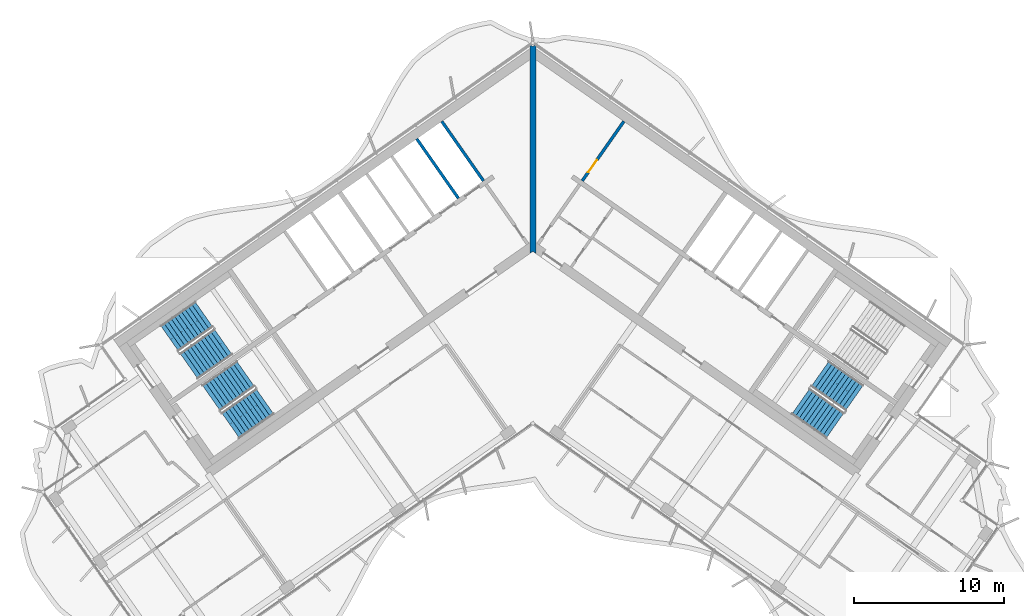
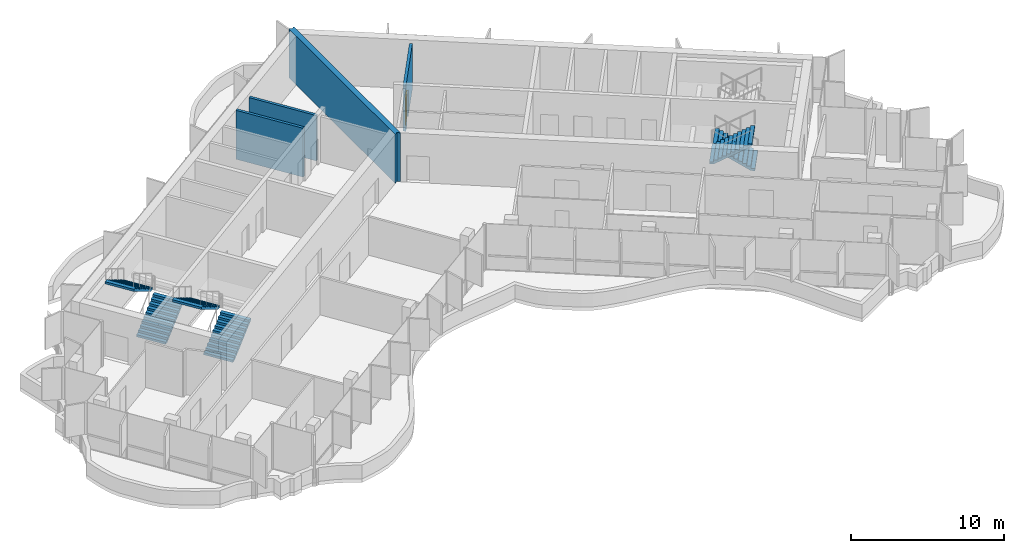
# One storey, part 12 of 18: 6 stair flights, 4 walls, 1 door, 1 opening, 3 elements without a shape of their own.
"""IFC4 building model written with IfcOpenShell, lengths in metres."""

from ifc_helpers import new_model, si_unit, direction, frame, frame_2d, origin, place, context, subcontext, project, spatial, polyline, rectangle, outline, extrude, material, layer, layer_set, type_object, element, fill, aggregate, save


model = new_model("IFC4")

# Units and contexts
model_context = context("Model", 3, precision=1e-05, world=origin(), true_north=direction((0.0, 1.0)))
body_context = subcontext(model_context, "Body", "Model", "MODEL_VIEW")
ifc_project = project(units=[si_unit("LENGTHUNIT", "METRE"), si_unit("AREAUNIT", "SQUARE_METRE"), si_unit("VOLUMEUNIT", "CUBIC_METRE"), si_unit("PLANEANGLEUNIT", "RADIAN"), si_unit("MASSUNIT", "GRAM", prefix="KILO")], contexts=[model_context])

# Site, building, storey
site_placement = place(None, origin())
site = spatial("IfcSite", under=ifc_project, at=site_placement, CompositionType="ELEMENT")
building_placement = place(site_placement, origin())
building = spatial("IfcBuilding", under=site, at=building_placement, Name="Tel Ilan Convention Tower", CompositionType="ELEMENT")
storey_placement = place(building_placement, frame((0.0, 0.0, 252.699951171875)))
storey = spatial("IfcBuildingStorey", under=building, at=storey_placement, Name="L59", CompositionType="ELEMENT", Elevation=252.699951171875)

# Wall
ifc_material_1 = material(Name="Concrete C30/37", Category="concrete")
ifc_layer_1 = layer(ifc_material_1, 0.199951171875)
ifc_layer_set_1 = layer_set([ifc_layer_1], Name="Core Service Room Wall 200 mm C30/37")
wall_type_1 = type_object("IfcWallType", Name="Core Service Room Wall 200 mm C30/37", PredefinedType="SOLIDWALL", material=ifc_layer_set_1)
wall_1_placement = place(storey_placement, frame((-3.2978515625, 3.489501953125, 0.0), z_axis=(0.0, 0.0, 1.0), x_axis=(-0.573560315113, 0.819163332265, 0.0)))
element("IfcWall", 1, at=wall_1_placement, inside=storey, type_object=wall_type_1, Name="L59 core wall apex-W-b", PredefinedType="SOLIDWALL", context=body_context, shape_type="SweptSolid", body=[
    extrude(rectangle(XDim=4.849853515625, YDim=0.199951171875, at=frame_2d((2.4248046875, 0.0))), origin(), (0.0, 0.0, 1.0), 3.6201171875),
])

# Wall, opening, door
wall_2_placement = place(storey_placement, frame((3.2978515625, 3.489501953125, 0.0), z_axis=(0.0, 0.0, 1.0), x_axis=(0.573560315113, 0.819163332265, 0.0)))
wall_2 = element("IfcWall", 2, at=wall_2_placement, inside=storey, type_object=wall_type_1, Name="L59 core wall apex-E-b", PredefinedType="SOLIDWALL", context=body_context, shape_type="SweptSolid", body=[
    extrude(rectangle(XDim=4.849853515625, YDim=0.199951171875, at=frame_2d((2.4248046875, 0.0))), origin(), (0.0, 0.0, 1.0), 3.6201171875),
])
opening_placement = place(wall_2_placement, frame((0.699951171875, 0.0, 0.0)))
opening = element("IfcOpeningElement", 3, at=opening_placement, cuts=wall_2, Name="Opening CD4603", PredefinedType="OPENING", context=body_context, shape_type="SweptSolid", body=[
    extrude(rectangle(XDim=1.0, YDim=2.10009765625, at=frame_2d((0.5, 1.050048828125))), frame((0.0, 0.10986328125, 0.0), z_axis=(0.0, -1.0, 0.0), x_axis=(1.0, 0.0, 0.0)), (0.0, 0.0, 1.0), 0.219970703125),
])
ifc_material_2 = material(Name="Galvanised Steel Door Leaf", Category="steel")
door_type = type_object("IfcDoorType", Name="Service Room Door 1000 x 2100 FD60", OperationType="NOTDEFINED", PredefinedType="DOOR", material=ifc_material_2)
door_placement = place(opening_placement, origin())
door = element("IfcDoor", 4, at=door_placement, inside=storey, type_object=door_type, Name="Plant Room door", OperationType="SINGLE_SWING_RIGHT", OverallHeight=2.10009765625, OverallWidth=1.0, PredefinedType="DOOR", context=body_context, shape_type="SweptSolid", body=[
    extrude(rectangle(XDim=1.0, YDim=2.10009765625, at=frame_2d((0.5, 1.050048828125))), frame((0.0, 0.02490234375, 0.0), z_axis=(0.0, -1.0, 0.0), x_axis=(1.0, 0.0, 0.0)), (0.0, 0.0, 1.0), 0.050048828125),
])
fill(opening, door)

# Walls
ifc_material_3 = material(Name="Concrete C40/50", Category="concrete")
ifc_layer_2 = layer(ifc_material_3, 0.39990234375)
ifc_layer_set_2 = layer_set([ifc_layer_2], Name="Core Shear Wall 400 mm C40/50")
wall_type_2 = type_object("IfcWallType", Name="Core Shear Wall 400 mm C40/50", PredefinedType="SHEAR", material=ifc_layer_set_2)
wall_3_placement = place(storey_placement, frame((0.0, -1.36083984375, 0.0), z_axis=(0.0, 0.0, 1.0), x_axis=(0.0, 1.0, 0.0)))
element("IfcWall", 5, at=wall_3_placement, inside=storey, type_object=wall_type_2, Name="L59 core wall K-central", PredefinedType="SHEAR", context=body_context, shape_type="SweptSolid", body=[
    extrude(outline(polyline([(0.14013671875, 0.199951171875), (0.0, 0.199951171875), (0.14013671875, 0.0), (0.0, -0.199951171875), (0.14013671875, -0.199951171875), (1.012451171875, -0.199951171875), (12.940185546875, -0.199951171875), (13.812744140625, -0.199951171875), (13.893310546875, -0.199951171875), (13.933349609375, -0.172119140625), (13.812744140625, 0.0), (13.933349609375, 0.172119140625), (13.893310546875, 0.199951171875), (13.812744140625, 0.199951171875), (12.940185546875, 0.199951171875), (1.012451171875, 0.199951171875), (0.14013671875, 0.199951171875)])), origin(), (0.0, 0.0, 1.0), 3.900146484375),
])
ifc_material_4 = material(Name="Concrete C30/37", Category="concrete")
ifc_layer_3 = layer(ifc_material_4, 0.199951171875)
ifc_layer_set_3 = layer_set([ifc_layer_3], Name="Lift Shaft Wall 200 mm C30/37")
wall_type_3 = type_object("IfcWallType", Name="Lift Shaft Wall 200 mm C30/37", PredefinedType="SOLIDWALL", material=ifc_layer_set_3)
wall_4_placement = place(storey_placement, frame((-4.966796875, 2.32080078125, 0.0), z_axis=(0.0, 0.0, 1.0), x_axis=(-0.573594092424, 0.81913968109, 0.0)))
element("IfcWall", 6, at=wall_4_placement, inside=storey, type_object=wall_type_3, Name="L59 core wall bank-W1-p0", PredefinedType="SOLIDWALL", context=body_context, shape_type="SweptSolid", body=[
    extrude(rectangle(XDim=4.85009765625, YDim=0.199951171875, at=frame_2d((2.425048828125, 0.0))), origin(), (0.0, 0.0, 1.0), 3.900146484375),
])

# Stair, stair flights
ifc_material_5 = material(Name="Concrete C40/50", Category="concrete")
stair_type = type_object("IfcStairType", Name="Pressurised Exit Stair 22 risers 177 mm", PredefinedType="HALF_TURN_STAIR", material=ifc_material_5)
stair_1_placement = place(storey_placement, origin())
stair_1 = element("IfcStair", 7, at=stair_1_placement, inside=storey, type_object=stair_type, Name="L59 Pressurised Stair S1", PredefinedType="HALF_TURN_STAIR")
ifc_material_6 = material(Name="Precast Concrete C40/50", Category="concrete")
stair_flight_type = type_object("IfcStairFlightType", Name="Concrete Stair Flight 2100 mm 22 risers 177 mm", PredefinedType="STRAIGHT", material=ifc_material_6)
stair_flight_1_placement = place(storey_placement, frame((-22.9619140625, -8.87548828125, 0.0), z_axis=(0.0, 0.0, 1.0), x_axis=(0.819152044289, 0.573576436351, 0.0)))
stair_flight_1 = element("IfcStairFlight", 8, at=stair_flight_1_placement, type_object=stair_flight_type, Name="S1 flight 1", NumberOfRisers=11, NumberOfTreads=10, PredefinedType="STRAIGHT", RiserHeight=0.177272727, TreadLength=0.28, context=body_context, shape_type="SweptSolid", body=[
    extrude(outline(polyline([(0.0, 0.0), (0.0, 0.17724609375), (0.280029296875, 0.17724609375), (0.280029296875, 0.3544921875), (0.56005859375, 0.3544921875), (0.56005859375, 0.53173828125), (0.840087890625, 0.53173828125), (0.840087890625, 0.708984375), (1.1201171875, 0.708984375), (1.1201171875, 0.886474609375), (1.39990234375, 0.886474609375), (1.39990234375, 1.063720703125), (1.679931640625, 1.063720703125), (1.679931640625, 1.240966796875), (1.9599609375, 1.240966796875), (1.9599609375, 1.418212890625), (2.239990234375, 1.418212890625), (2.239990234375, 1.595458984375), (2.52001953125, 1.595458984375), (2.52001953125, 1.772705078125), (2.800048828125, 1.772705078125), (2.800048828125, 1.949951171875), (2.800048828125, 1.59521484375), (0.2802734375, 0.0), (0.0, 0.0)])), frame((0.0, -0.100341796875, 0.0), z_axis=(0.0, -1.0, 0.0), x_axis=(1.0, 0.0, 0.0)), (0.0, 0.0, 1.0), 0.94970703125),
    extrude(outline(polyline([(0.0, 0.0), (0.0, 0.17724609375), (0.280029296875, 0.17724609375), (0.280029296875, 0.3544921875), (0.56005859375, 0.3544921875), (0.56005859375, 0.53173828125), (0.840087890625, 0.53173828125), (0.840087890625, 0.708984375), (1.1201171875, 0.708984375), (1.1201171875, 0.886474609375), (1.39990234375, 0.886474609375), (1.39990234375, 1.063720703125), (1.679931640625, 1.063720703125), (1.679931640625, 1.240966796875), (1.9599609375, 1.240966796875), (1.9599609375, 1.418212890625), (2.239990234375, 1.418212890625), (2.239990234375, 1.595458984375), (2.52001953125, 1.595458984375), (2.52001953125, 1.772705078125), (2.800048828125, 1.772705078125), (2.800048828125, 1.949951171875), (2.800048828125, 1.59521484375), (0.2802734375, 0.0), (0.0, 0.0)])), frame((0.0, -0.000244140625, 0.0), z_axis=(0.0, -1.0, 0.0), x_axis=(1.0, 0.0, 0.0)), (0.0, 0.0, 1.0), 0.099609375),
    extrude(outline(polyline([(0.0, 0.0), (0.0, 0.17724609375), (0.280029296875, 0.17724609375), (0.280029296875, 0.3544921875), (0.56005859375, 0.3544921875), (0.56005859375, 0.53173828125), (0.840087890625, 0.53173828125), (0.840087890625, 0.708984375), (1.1201171875, 0.708984375), (1.1201171875, 0.886474609375), (1.39990234375, 0.886474609375), (1.39990234375, 1.063720703125), (1.679931640625, 1.063720703125), (1.679931640625, 1.240966796875), (1.9599609375, 1.240966796875), (1.9599609375, 1.418212890625), (2.239990234375, 1.418212890625), (2.239990234375, 1.595458984375), (2.52001953125, 1.595458984375), (2.52001953125, 1.772705078125), (2.800048828125, 1.772705078125), (2.800048828125, 1.949951171875), (2.800048828125, 1.59521484375), (0.2802734375, 0.0), (0.0, 0.0)])), frame((0.0, 0.099853515625, 0.0), z_axis=(0.0, -1.0, 0.0), x_axis=(1.0, 0.0, 0.0)), (0.0, 0.0, 1.0), 0.099609375),
    extrude(outline(polyline([(0.0, 0.0), (0.0, 0.17724609375), (0.280029296875, 0.17724609375), (0.280029296875, 0.3544921875), (0.56005859375, 0.3544921875), (0.56005859375, 0.53173828125), (0.840087890625, 0.53173828125), (0.840087890625, 0.708984375), (1.1201171875, 0.708984375), (1.1201171875, 0.886474609375), (1.39990234375, 0.886474609375), (1.39990234375, 1.063720703125), (1.679931640625, 1.063720703125), (1.679931640625, 1.240966796875), (1.9599609375, 1.240966796875), (1.9599609375, 1.418212890625), (2.239990234375, 1.418212890625), (2.239990234375, 1.595458984375), (2.52001953125, 1.595458984375), (2.52001953125, 1.772705078125), (2.800048828125, 1.772705078125), (2.800048828125, 1.949951171875), (2.800048828125, 1.59521484375), (0.2802734375, 0.0), (0.0, 0.0)])), frame((0.0, 1.050048828125, 0.0), z_axis=(0.0, -1.0, 0.0), x_axis=(1.0, 0.0, 0.0)), (0.0, 0.0, 1.0), 0.94970703125),
])
stair_flight_2_placement = place(storey_placement, frame((-21.958740234375, -5.42626953125, 1.949951171875), z_axis=(0.0, 0.0, 1.0), x_axis=(-0.819152044289, -0.573576436351, 0.0)))
stair_flight_2 = element("IfcStairFlight", 9, at=stair_flight_2_placement, type_object=stair_flight_type, Name="S1 flight 2", NumberOfRisers=11, NumberOfTreads=10, PredefinedType="STRAIGHT", RiserHeight=0.177272727, TreadLength=0.28, context=body_context, shape_type="SweptSolid", body=[
    extrude(outline(polyline([(0.0, 0.0), (0.0, 0.17724609375), (0.280029296875, 0.17724609375), (0.280029296875, 0.3544921875), (0.56005859375, 0.3544921875), (0.56005859375, 0.53173828125), (0.840087890625, 0.53173828125), (0.840087890625, 0.708984375), (1.1201171875, 0.708984375), (1.1201171875, 0.886474609375), (1.39990234375, 0.886474609375), (1.39990234375, 1.063720703125), (1.679931640625, 1.063720703125), (1.679931640625, 1.240966796875), (1.9599609375, 1.240966796875), (1.9599609375, 1.418212890625), (2.239990234375, 1.418212890625), (2.239990234375, 1.595458984375), (2.52001953125, 1.595458984375), (2.52001953125, 1.772705078125), (2.800048828125, 1.772705078125), (2.800048828125, 1.949951171875), (2.800048828125, 1.59521484375), (0.2802734375, 0.0), (0.0, 0.0)])), frame((0.0, -0.100341796875, 0.0), z_axis=(0.0, -1.0, 0.0), x_axis=(1.0, 0.0, 0.0)), (0.0, 0.0, 1.0), 0.94970703125),
    extrude(outline(polyline([(0.0, 0.0), (0.0, 0.17724609375), (0.280029296875, 0.17724609375), (0.280029296875, 0.3544921875), (0.56005859375, 0.3544921875), (0.56005859375, 0.53173828125), (0.840087890625, 0.53173828125), (0.840087890625, 0.708984375), (1.1201171875, 0.708984375), (1.1201171875, 0.886474609375), (1.39990234375, 0.886474609375), (1.39990234375, 1.063720703125), (1.679931640625, 1.063720703125), (1.679931640625, 1.240966796875), (1.9599609375, 1.240966796875), (1.9599609375, 1.418212890625), (2.239990234375, 1.418212890625), (2.239990234375, 1.595458984375), (2.52001953125, 1.595458984375), (2.52001953125, 1.772705078125), (2.800048828125, 1.772705078125), (2.800048828125, 1.949951171875), (2.800048828125, 1.59521484375), (0.2802734375, 0.0), (0.0, 0.0)])), frame((0.0, -0.000244140625, 0.0), z_axis=(0.0, -1.0, 0.0), x_axis=(1.0, 0.0, 0.0)), (0.0, 0.0, 1.0), 0.099609375),
    extrude(outline(polyline([(0.0, 0.0), (0.0, 0.17724609375), (0.280029296875, 0.17724609375), (0.280029296875, 0.3544921875), (0.56005859375, 0.3544921875), (0.56005859375, 0.53173828125), (0.840087890625, 0.53173828125), (0.840087890625, 0.708984375), (1.1201171875, 0.708984375), (1.1201171875, 0.886474609375), (1.39990234375, 0.886474609375), (1.39990234375, 1.063720703125), (1.679931640625, 1.063720703125), (1.679931640625, 1.240966796875), (1.9599609375, 1.240966796875), (1.9599609375, 1.418212890625), (2.239990234375, 1.418212890625), (2.239990234375, 1.595458984375), (2.52001953125, 1.595458984375), (2.52001953125, 1.772705078125), (2.800048828125, 1.772705078125), (2.800048828125, 1.949951171875), (2.800048828125, 1.59521484375), (0.2802734375, 0.0), (0.0, 0.0)])), frame((0.0, 0.099853515625, 0.0), z_axis=(0.0, -1.0, 0.0), x_axis=(1.0, 0.0, 0.0)), (0.0, 0.0, 1.0), 0.099609375),
    extrude(outline(polyline([(0.0, 0.0), (0.0, 0.17724609375), (0.280029296875, 0.17724609375), (0.280029296875, 0.3544921875), (0.56005859375, 0.3544921875), (0.56005859375, 0.53173828125), (0.840087890625, 0.53173828125), (0.840087890625, 0.708984375), (1.1201171875, 0.708984375), (1.1201171875, 0.886474609375), (1.39990234375, 0.886474609375), (1.39990234375, 1.063720703125), (1.679931640625, 1.063720703125), (1.679931640625, 1.240966796875), (1.9599609375, 1.240966796875), (1.9599609375, 1.418212890625), (2.239990234375, 1.418212890625), (2.239990234375, 1.595458984375), (2.52001953125, 1.595458984375), (2.52001953125, 1.772705078125), (2.800048828125, 1.772705078125), (2.800048828125, 1.949951171875), (2.800048828125, 1.59521484375), (0.2802734375, 0.0), (0.0, 0.0)])), frame((0.0, 1.050048828125, 0.0), z_axis=(0.0, -1.0, 0.0), x_axis=(1.0, 0.0, 0.0)), (0.0, 0.0, 1.0), 0.94970703125),
])
aggregate(stair_1, [stair_flight_1, stair_flight_2])

stair_2_placement = place(storey_placement, origin())
stair_2 = element("IfcStair", 10, at=stair_2_placement, inside=storey, type_object=stair_type, Name="L59 Pressurised Stair S2", PredefinedType="HALF_TURN_STAIR")
stair_flight_3_placement = place(storey_placement, frame((-20.179931640625, -12.848388671875, 0.0), z_axis=(0.0, 0.0, 1.0), x_axis=(0.819152044289, 0.573576436351, 0.0)))
stair_flight_3 = element("IfcStairFlight", 11, at=stair_flight_3_placement, type_object=stair_flight_type, Name="S2 flight 1", NumberOfRisers=11, NumberOfTreads=10, PredefinedType="STRAIGHT", RiserHeight=0.177272727, TreadLength=0.28, context=body_context, shape_type="SweptSolid", body=[
    extrude(outline(polyline([(0.0, 0.0), (0.0, 0.17724609375), (0.280029296875, 0.17724609375), (0.280029296875, 0.3544921875), (0.56005859375, 0.3544921875), (0.56005859375, 0.53173828125), (0.840087890625, 0.53173828125), (0.840087890625, 0.708984375), (1.1201171875, 0.708984375), (1.1201171875, 0.886474609375), (1.39990234375, 0.886474609375), (1.39990234375, 1.063720703125), (1.679931640625, 1.063720703125), (1.679931640625, 1.240966796875), (1.9599609375, 1.240966796875), (1.9599609375, 1.418212890625), (2.239990234375, 1.418212890625), (2.239990234375, 1.595458984375), (2.52001953125, 1.595458984375), (2.52001953125, 1.772705078125), (2.800048828125, 1.772705078125), (2.800048828125, 1.949951171875), (2.800048828125, 1.59521484375), (0.2802734375, 0.0), (0.0, 0.0)])), frame((0.0, -0.100341796875, 0.0), z_axis=(0.0, -1.0, 0.0), x_axis=(1.0, 0.0, 0.0)), (0.0, 0.0, 1.0), 0.94970703125),
    extrude(outline(polyline([(0.0, 0.0), (0.0, 0.17724609375), (0.280029296875, 0.17724609375), (0.280029296875, 0.3544921875), (0.56005859375, 0.3544921875), (0.56005859375, 0.53173828125), (0.840087890625, 0.53173828125), (0.840087890625, 0.708984375), (1.1201171875, 0.708984375), (1.1201171875, 0.886474609375), (1.39990234375, 0.886474609375), (1.39990234375, 1.063720703125), (1.679931640625, 1.063720703125), (1.679931640625, 1.240966796875), (1.9599609375, 1.240966796875), (1.9599609375, 1.418212890625), (2.239990234375, 1.418212890625), (2.239990234375, 1.595458984375), (2.52001953125, 1.595458984375), (2.52001953125, 1.772705078125), (2.800048828125, 1.772705078125), (2.800048828125, 1.949951171875), (2.800048828125, 1.59521484375), (0.2802734375, 0.0), (0.0, 0.0)])), frame((0.0, -0.000244140625, 0.0), z_axis=(0.0, -1.0, 0.0), x_axis=(1.0, 0.0, 0.0)), (0.0, 0.0, 1.0), 0.099609375),
    extrude(outline(polyline([(0.0, 0.0), (0.0, 0.17724609375), (0.280029296875, 0.17724609375), (0.280029296875, 0.3544921875), (0.56005859375, 0.3544921875), (0.56005859375, 0.53173828125), (0.840087890625, 0.53173828125), (0.840087890625, 0.708984375), (1.1201171875, 0.708984375), (1.1201171875, 0.886474609375), (1.39990234375, 0.886474609375), (1.39990234375, 1.063720703125), (1.679931640625, 1.063720703125), (1.679931640625, 1.240966796875), (1.9599609375, 1.240966796875), (1.9599609375, 1.418212890625), (2.239990234375, 1.418212890625), (2.239990234375, 1.595458984375), (2.52001953125, 1.595458984375), (2.52001953125, 1.772705078125), (2.800048828125, 1.772705078125), (2.800048828125, 1.949951171875), (2.800048828125, 1.59521484375), (0.2802734375, 0.0), (0.0, 0.0)])), frame((0.0, 0.099853515625, 0.0), z_axis=(0.0, -1.0, 0.0), x_axis=(1.0, 0.0, 0.0)), (0.0, 0.0, 1.0), 0.099609375),
    extrude(outline(polyline([(0.0, 0.0), (0.0, 0.17724609375), (0.280029296875, 0.17724609375), (0.280029296875, 0.3544921875), (0.56005859375, 0.3544921875), (0.56005859375, 0.53173828125), (0.840087890625, 0.53173828125), (0.840087890625, 0.708984375), (1.1201171875, 0.708984375), (1.1201171875, 0.886474609375), (1.39990234375, 0.886474609375), (1.39990234375, 1.063720703125), (1.679931640625, 1.063720703125), (1.679931640625, 1.240966796875), (1.9599609375, 1.240966796875), (1.9599609375, 1.418212890625), (2.239990234375, 1.418212890625), (2.239990234375, 1.595458984375), (2.52001953125, 1.595458984375), (2.52001953125, 1.772705078125), (2.800048828125, 1.772705078125), (2.800048828125, 1.949951171875), (2.800048828125, 1.59521484375), (0.2802734375, 0.0), (0.0, 0.0)])), frame((0.0, 1.050048828125, 0.0), z_axis=(0.0, -1.0, 0.0), x_axis=(1.0, 0.0, 0.0)), (0.0, 0.0, 1.0), 0.94970703125),
])
stair_flight_4_placement = place(storey_placement, frame((-19.177001953125, -9.399169921875, 1.949951171875), z_axis=(0.0, 0.0, 1.0), x_axis=(-0.819152044289, -0.573576436351, 0.0)))
stair_flight_4 = element("IfcStairFlight", 12, at=stair_flight_4_placement, type_object=stair_flight_type, Name="S2 flight 2", NumberOfRisers=11, NumberOfTreads=10, PredefinedType="STRAIGHT", RiserHeight=0.177272727, TreadLength=0.28, context=body_context, shape_type="SweptSolid", body=[
    extrude(outline(polyline([(0.0, 0.0), (0.0, 0.17724609375), (0.280029296875, 0.17724609375), (0.280029296875, 0.3544921875), (0.56005859375, 0.3544921875), (0.56005859375, 0.53173828125), (0.840087890625, 0.53173828125), (0.840087890625, 0.708984375), (1.1201171875, 0.708984375), (1.1201171875, 0.886474609375), (1.39990234375, 0.886474609375), (1.39990234375, 1.063720703125), (1.679931640625, 1.063720703125), (1.679931640625, 1.240966796875), (1.9599609375, 1.240966796875), (1.9599609375, 1.418212890625), (2.239990234375, 1.418212890625), (2.239990234375, 1.595458984375), (2.52001953125, 1.595458984375), (2.52001953125, 1.772705078125), (2.800048828125, 1.772705078125), (2.800048828125, 1.949951171875), (2.800048828125, 1.59521484375), (0.2802734375, 0.0), (0.0, 0.0)])), frame((0.0, -0.100341796875, 0.0), z_axis=(0.0, -1.0, 0.0), x_axis=(1.0, 0.0, 0.0)), (0.0, 0.0, 1.0), 0.94970703125),
    extrude(outline(polyline([(0.0, 0.0), (0.0, 0.17724609375), (0.280029296875, 0.17724609375), (0.280029296875, 0.3544921875), (0.56005859375, 0.3544921875), (0.56005859375, 0.53173828125), (0.840087890625, 0.53173828125), (0.840087890625, 0.708984375), (1.1201171875, 0.708984375), (1.1201171875, 0.886474609375), (1.39990234375, 0.886474609375), (1.39990234375, 1.063720703125), (1.679931640625, 1.063720703125), (1.679931640625, 1.240966796875), (1.9599609375, 1.240966796875), (1.9599609375, 1.418212890625), (2.239990234375, 1.418212890625), (2.239990234375, 1.595458984375), (2.52001953125, 1.595458984375), (2.52001953125, 1.772705078125), (2.800048828125, 1.772705078125), (2.800048828125, 1.949951171875), (2.800048828125, 1.59521484375), (0.2802734375, 0.0), (0.0, 0.0)])), frame((0.0, -0.000244140625, 0.0), z_axis=(0.0, -1.0, 0.0), x_axis=(1.0, 0.0, 0.0)), (0.0, 0.0, 1.0), 0.099609375),
    extrude(outline(polyline([(0.0, 0.0), (0.0, 0.17724609375), (0.280029296875, 0.17724609375), (0.280029296875, 0.3544921875), (0.56005859375, 0.3544921875), (0.56005859375, 0.53173828125), (0.840087890625, 0.53173828125), (0.840087890625, 0.708984375), (1.1201171875, 0.708984375), (1.1201171875, 0.886474609375), (1.39990234375, 0.886474609375), (1.39990234375, 1.063720703125), (1.679931640625, 1.063720703125), (1.679931640625, 1.240966796875), (1.9599609375, 1.240966796875), (1.9599609375, 1.418212890625), (2.239990234375, 1.418212890625), (2.239990234375, 1.595458984375), (2.52001953125, 1.595458984375), (2.52001953125, 1.772705078125), (2.800048828125, 1.772705078125), (2.800048828125, 1.949951171875), (2.800048828125, 1.59521484375), (0.2802734375, 0.0), (0.0, 0.0)])), frame((0.0, 0.099853515625, 0.0), z_axis=(0.0, -1.0, 0.0), x_axis=(1.0, 0.0, 0.0)), (0.0, 0.0, 1.0), 0.099609375),
    extrude(outline(polyline([(0.0, 0.0), (0.0, 0.17724609375), (0.280029296875, 0.17724609375), (0.280029296875, 0.3544921875), (0.56005859375, 0.3544921875), (0.56005859375, 0.53173828125), (0.840087890625, 0.53173828125), (0.840087890625, 0.708984375), (1.1201171875, 0.708984375), (1.1201171875, 0.886474609375), (1.39990234375, 0.886474609375), (1.39990234375, 1.063720703125), (1.679931640625, 1.063720703125), (1.679931640625, 1.240966796875), (1.9599609375, 1.240966796875), (1.9599609375, 1.418212890625), (2.239990234375, 1.418212890625), (2.239990234375, 1.595458984375), (2.52001953125, 1.595458984375), (2.52001953125, 1.772705078125), (2.800048828125, 1.772705078125), (2.800048828125, 1.949951171875), (2.800048828125, 1.59521484375), (0.2802734375, 0.0), (0.0, 0.0)])), frame((0.0, 1.050048828125, 0.0), z_axis=(0.0, -1.0, 0.0), x_axis=(1.0, 0.0, 0.0)), (0.0, 0.0, 1.0), 0.94970703125),
])
aggregate(stair_2, [stair_flight_3, stair_flight_4])

stair_3_placement = place(storey_placement, origin())
stair_3 = element("IfcStair", 13, at=stair_3_placement, inside=storey, type_object=stair_type, Name="L59 Pressurised Stair S4", PredefinedType="HALF_TURN_STAIR")
stair_flight_5_placement = place(storey_placement, frame((21.470458984375, -11.00537109375, 0.0), z_axis=(0.0, 0.0, 1.0), x_axis=(-0.819152044289, 0.573576436351, 0.0)))
stair_flight_5 = element("IfcStairFlight", 14, at=stair_flight_5_placement, type_object=stair_flight_type, Name="S4 flight 1", NumberOfRisers=11, NumberOfTreads=10, PredefinedType="STRAIGHT", RiserHeight=0.177272727, TreadLength=0.28, context=body_context, shape_type="SweptSolid", body=[
    extrude(outline(polyline([(0.0, 0.0), (0.0, 0.17724609375), (0.280029296875, 0.17724609375), (0.280029296875, 0.3544921875), (0.56005859375, 0.3544921875), (0.56005859375, 0.53173828125), (0.840087890625, 0.53173828125), (0.840087890625, 0.708984375), (1.1201171875, 0.708984375), (1.1201171875, 0.886474609375), (1.39990234375, 0.886474609375), (1.39990234375, 1.063720703125), (1.679931640625, 1.063720703125), (1.679931640625, 1.240966796875), (1.9599609375, 1.240966796875), (1.9599609375, 1.418212890625), (2.239990234375, 1.418212890625), (2.239990234375, 1.595458984375), (2.52001953125, 1.595458984375), (2.52001953125, 1.772705078125), (2.800048828125, 1.772705078125), (2.800048828125, 1.949951171875), (2.800048828125, 1.59521484375), (0.2802734375, 0.0), (0.0, 0.0)])), frame((0.0, -0.100341796875, 0.0), z_axis=(0.0, -1.0, 0.0), x_axis=(1.0, 0.0, 0.0)), (0.0, 0.0, 1.0), 0.94970703125),
    extrude(outline(polyline([(0.0, 0.0), (0.0, 0.17724609375), (0.280029296875, 0.17724609375), (0.280029296875, 0.3544921875), (0.56005859375, 0.3544921875), (0.56005859375, 0.53173828125), (0.840087890625, 0.53173828125), (0.840087890625, 0.708984375), (1.1201171875, 0.708984375), (1.1201171875, 0.886474609375), (1.39990234375, 0.886474609375), (1.39990234375, 1.063720703125), (1.679931640625, 1.063720703125), (1.679931640625, 1.240966796875), (1.9599609375, 1.240966796875), (1.9599609375, 1.418212890625), (2.239990234375, 1.418212890625), (2.239990234375, 1.595458984375), (2.52001953125, 1.595458984375), (2.52001953125, 1.772705078125), (2.800048828125, 1.772705078125), (2.800048828125, 1.949951171875), (2.800048828125, 1.59521484375), (0.2802734375, 0.0), (0.0, 0.0)])), frame((0.0, -0.000244140625, 0.0), z_axis=(0.0, -1.0, 0.0), x_axis=(1.0, 0.0, 0.0)), (0.0, 0.0, 1.0), 0.099609375),
    extrude(outline(polyline([(0.0, 0.0), (0.0, 0.17724609375), (0.280029296875, 0.17724609375), (0.280029296875, 0.3544921875), (0.56005859375, 0.3544921875), (0.56005859375, 0.53173828125), (0.840087890625, 0.53173828125), (0.840087890625, 0.708984375), (1.1201171875, 0.708984375), (1.1201171875, 0.886474609375), (1.39990234375, 0.886474609375), (1.39990234375, 1.063720703125), (1.679931640625, 1.063720703125), (1.679931640625, 1.240966796875), (1.9599609375, 1.240966796875), (1.9599609375, 1.418212890625), (2.239990234375, 1.418212890625), (2.239990234375, 1.595458984375), (2.52001953125, 1.595458984375), (2.52001953125, 1.772705078125), (2.800048828125, 1.772705078125), (2.800048828125, 1.949951171875), (2.800048828125, 1.59521484375), (0.2802734375, 0.0), (0.0, 0.0)])), frame((0.0, 0.099853515625, 0.0), z_axis=(0.0, -1.0, 0.0), x_axis=(1.0, 0.0, 0.0)), (0.0, 0.0, 1.0), 0.099609375),
    extrude(outline(polyline([(0.0, 0.0), (0.0, 0.17724609375), (0.280029296875, 0.17724609375), (0.280029296875, 0.3544921875), (0.56005859375, 0.3544921875), (0.56005859375, 0.53173828125), (0.840087890625, 0.53173828125), (0.840087890625, 0.708984375), (1.1201171875, 0.708984375), (1.1201171875, 0.886474609375), (1.39990234375, 0.886474609375), (1.39990234375, 1.063720703125), (1.679931640625, 1.063720703125), (1.679931640625, 1.240966796875), (1.9599609375, 1.240966796875), (1.9599609375, 1.418212890625), (2.239990234375, 1.418212890625), (2.239990234375, 1.595458984375), (2.52001953125, 1.595458984375), (2.52001953125, 1.772705078125), (2.800048828125, 1.772705078125), (2.800048828125, 1.949951171875), (2.800048828125, 1.59521484375), (0.2802734375, 0.0), (0.0, 0.0)])), frame((0.0, 1.050048828125, 0.0), z_axis=(0.0, -1.0, 0.0), x_axis=(1.0, 0.0, 0.0)), (0.0, 0.0, 1.0), 0.94970703125),
])
stair_flight_6_placement = place(storey_placement, frame((17.886474609375, -11.242431640625, 1.949951171875), z_axis=(0.0, 0.0, 1.0), x_axis=(0.819152044289, -0.573576436351, 0.0)))
stair_flight_6 = element("IfcStairFlight", 15, at=stair_flight_6_placement, type_object=stair_flight_type, Name="S4 flight 2", NumberOfRisers=11, NumberOfTreads=10, PredefinedType="STRAIGHT", RiserHeight=0.177272727, TreadLength=0.28, context=body_context, shape_type="SweptSolid", body=[
    extrude(outline(polyline([(0.0, 0.0), (0.0, 0.17724609375), (0.280029296875, 0.17724609375), (0.280029296875, 0.3544921875), (0.56005859375, 0.3544921875), (0.56005859375, 0.53173828125), (0.840087890625, 0.53173828125), (0.840087890625, 0.708984375), (1.1201171875, 0.708984375), (1.1201171875, 0.886474609375), (1.39990234375, 0.886474609375), (1.39990234375, 1.063720703125), (1.679931640625, 1.063720703125), (1.679931640625, 1.240966796875), (1.9599609375, 1.240966796875), (1.9599609375, 1.418212890625), (2.239990234375, 1.418212890625), (2.239990234375, 1.595458984375), (2.52001953125, 1.595458984375), (2.52001953125, 1.772705078125), (2.800048828125, 1.772705078125), (2.800048828125, 1.949951171875), (2.800048828125, 1.59521484375), (0.2802734375, 0.0), (0.0, 0.0)])), frame((0.0, -0.100341796875, 0.0), z_axis=(0.0, -1.0, 0.0), x_axis=(1.0, 0.0, 0.0)), (0.0, 0.0, 1.0), 0.94970703125),
    extrude(outline(polyline([(0.0, 0.0), (0.0, 0.17724609375), (0.280029296875, 0.17724609375), (0.280029296875, 0.3544921875), (0.56005859375, 0.3544921875), (0.56005859375, 0.53173828125), (0.840087890625, 0.53173828125), (0.840087890625, 0.708984375), (1.1201171875, 0.708984375), (1.1201171875, 0.886474609375), (1.39990234375, 0.886474609375), (1.39990234375, 1.063720703125), (1.679931640625, 1.063720703125), (1.679931640625, 1.240966796875), (1.9599609375, 1.240966796875), (1.9599609375, 1.418212890625), (2.239990234375, 1.418212890625), (2.239990234375, 1.595458984375), (2.52001953125, 1.595458984375), (2.52001953125, 1.772705078125), (2.800048828125, 1.772705078125), (2.800048828125, 1.949951171875), (2.800048828125, 1.59521484375), (0.2802734375, 0.0), (0.0, 0.0)])), frame((0.0, -0.000244140625, 0.0), z_axis=(0.0, -1.0, 0.0), x_axis=(1.0, 0.0, 0.0)), (0.0, 0.0, 1.0), 0.099609375),
    extrude(outline(polyline([(0.0, 0.0), (0.0, 0.17724609375), (0.280029296875, 0.17724609375), (0.280029296875, 0.3544921875), (0.56005859375, 0.3544921875), (0.56005859375, 0.53173828125), (0.840087890625, 0.53173828125), (0.840087890625, 0.708984375), (1.1201171875, 0.708984375), (1.1201171875, 0.886474609375), (1.39990234375, 0.886474609375), (1.39990234375, 1.063720703125), (1.679931640625, 1.063720703125), (1.679931640625, 1.240966796875), (1.9599609375, 1.240966796875), (1.9599609375, 1.418212890625), (2.239990234375, 1.418212890625), (2.239990234375, 1.595458984375), (2.52001953125, 1.595458984375), (2.52001953125, 1.772705078125), (2.800048828125, 1.772705078125), (2.800048828125, 1.949951171875), (2.800048828125, 1.59521484375), (0.2802734375, 0.0), (0.0, 0.0)])), frame((0.0, 0.099853515625, 0.0), z_axis=(0.0, -1.0, 0.0), x_axis=(1.0, 0.0, 0.0)), (0.0, 0.0, 1.0), 0.099609375),
    extrude(outline(polyline([(0.0, 0.0), (0.0, 0.17724609375), (0.280029296875, 0.17724609375), (0.280029296875, 0.3544921875), (0.56005859375, 0.3544921875), (0.56005859375, 0.53173828125), (0.840087890625, 0.53173828125), (0.840087890625, 0.708984375), (1.1201171875, 0.708984375), (1.1201171875, 0.886474609375), (1.39990234375, 0.886474609375), (1.39990234375, 1.063720703125), (1.679931640625, 1.063720703125), (1.679931640625, 1.240966796875), (1.9599609375, 1.240966796875), (1.9599609375, 1.418212890625), (2.239990234375, 1.418212890625), (2.239990234375, 1.595458984375), (2.52001953125, 1.595458984375), (2.52001953125, 1.772705078125), (2.800048828125, 1.772705078125), (2.800048828125, 1.949951171875), (2.800048828125, 1.59521484375), (0.2802734375, 0.0), (0.0, 0.0)])), frame((0.0, 1.050048828125, 0.0), z_axis=(0.0, -1.0, 0.0), x_axis=(1.0, 0.0, 0.0)), (0.0, 0.0, 1.0), 0.94970703125),
])
aggregate(stair_3, [stair_flight_5, stair_flight_6])

save(model, "model.ifc")
